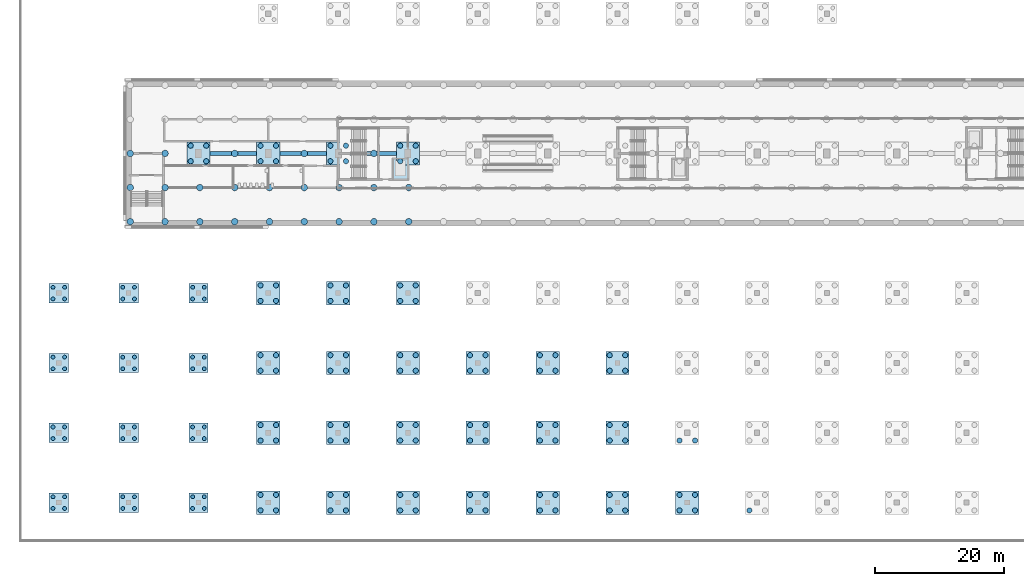
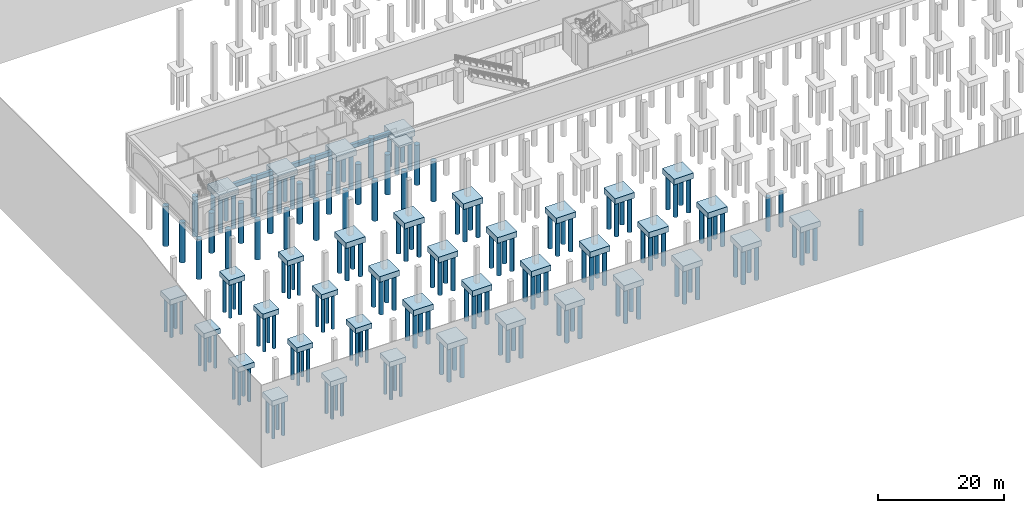
# One storey, part 1 of 39: 178 piles, 42 footings.
"""IFC4 building model written with IfcOpenShell, lengths in metres."""

import ifcopenshell
import ifcopenshell.guid

model = None  # the IFC model being written
_history = None  # IfcOwnerHistory: only IFC2X3 demands one
_inside = {}  # id of a spatial element -> (the spatial element, [elements in it])
_under = {}  # id of a project, library or spatial element -> (it, [spatial elements below it])
_declared = {}  # id of a project -> (the project, [libraries it declares])
_typed = {}  # id of a type object -> (the type object, [elements of that type])
_made_of = {}  # id of a material, layer set ... -> (it, [elements and type objects made of it])


def new_model(schema):
    """Start an empty IFC model of exactly this schema.

    Asked for "IFC4X3", IfcOpenShell would pick the latest addendum, in which some entities
    have other attributes; the version numbers below select the first issue.
    IFC2X3 requires an IfcOwnerHistory on every rooted entity: one is made here for all.
    """
    global model, _history
    if schema == "IFC4X3":
        model = ifcopenshell.file(schema_version=(4, 3, 0, 0))
    else:
        model = ifcopenshell.file(schema=schema)
    _inside.clear()
    _under.clear()
    _declared.clear()
    _typed.clear()
    _made_of.clear()
    _history = None
    if model.schema == "IFC2X3":
        org = make("IfcOrganization", Name="unknown")
        user = make(
            "IfcPersonAndOrganization",
            ThePerson=make("IfcPerson", FamilyName="unknown"),
            TheOrganization=org,
        )
        app = make(
            "IfcApplication",
            ApplicationDeveloper=org,
            Version="unknown",
            ApplicationFullName="unknown",
            ApplicationIdentifier="unknown",
        )
        _history = make(
            "IfcOwnerHistory",
            OwningUser=user,
            OwningApplication=app,
            ChangeAction="ADDED",
            CreationDate=0,
        )
    return model


def make(cls, **values):
    """One entity of the class cls with the attributes given. An attribute that is None is left unset."""
    return model.create_entity(
        cls, **{name: value for name, value in values.items() if value is not None}
    )


def rooted(cls, **values):
    """An entity with a GlobalId (a new one), such as an element, a storey or a relation."""
    return make(cls, GlobalId=ifcopenshell.guid.new(), OwnerHistory=_history, **values)


def si_unit(unit_type, name, prefix=None):
    """IfcSIUnit, for example si_unit("LENGTHUNIT", "METRE", prefix="MILLI")."""
    return make("IfcSIUnit", UnitType=unit_type, Prefix=prefix, Name=name)


def assignment(units):
    """IfcUnitAssignment: the units of a project."""
    return None if units is None else make("IfcUnitAssignment", Units=units)


def point(xyz):
    """IfcCartesianPoint."""
    return None if xyz is None else make("IfcCartesianPoint", Coordinates=xyz)


def direction(xyz):
    """IfcDirection."""
    return None if xyz is None else make("IfcDirection", DirectionRatios=xyz)


def frame(location, z_axis=None, x_axis=None):
    """IfcAxis2Placement3D, a coordinate frame: its origin and axes. An axis left out is left unset."""
    return make(
        "IfcAxis2Placement3D",
        Location=point(location),
        Axis=direction(z_axis),
        RefDirection=direction(x_axis),
    )


def frame_2d(location, x_axis=None):
    """IfcAxis2Placement2D, a coordinate frame in the plane: its origin and x axis."""
    return make(
        "IfcAxis2Placement2D", Location=point(location), RefDirection=direction(x_axis)
    )


def origin():
    """The frame at (0, 0, 0) with its axes left unset."""
    return frame((0.0, 0.0, 0.0))


def origin_2d():
    """The frame at (0, 0) in the plane with its x axis left unset."""
    return frame_2d((0.0, 0.0))


def place(relative_to, where):
    """IfcLocalPlacement: puts the frame where relative to a parent placement (None: the world)."""
    return make(
        "IfcLocalPlacement", PlacementRelTo=relative_to, RelativePlacement=where
    )


def context(
    kind, dimensions, precision=None, world=None, true_north=None, identifier=None
):
    """IfcGeometricRepresentationContext, for example the 3D "Model" context."""
    return make(
        "IfcGeometricRepresentationContext",
        ContextIdentifier=identifier,
        ContextType=kind,
        CoordinateSpaceDimension=dimensions,
        Precision=precision,
        WorldCoordinateSystem=world,
        TrueNorth=true_north,
    )


def subcontext(parent, identifier, kind, view, scale=None):
    """IfcGeometricRepresentationSubContext, for example "Body" below "Model"."""
    return make(
        "IfcGeometricRepresentationSubContext",
        ContextIdentifier=identifier,
        ContextType=kind,
        ParentContext=parent,
        TargetScale=scale,
        TargetView=view,
    )


def project(units=None, contexts=None):
    """IfcProject with its units and contexts."""
    return rooted(
        "IfcProject",
        Name="project",
        RepresentationContexts=contexts,
        UnitsInContext=assignment(units),
    )


def spatial(cls, under=None, at=None, **own):
    """A site, building, storey or space (cls), placed at a placement, below another one or the project."""
    s = rooted(cls, ObjectPlacement=at, **own)
    if under is not None:
        _under.setdefault(under.id(), (under, []))[1].append(s)
    return s


def polyline(points):
    """IfcPolyline through the points."""
    return make("IfcPolyline", Points=[point(p) for p in points])


def profile(cls, at=None, kind="AREA", **sizes):
    """A parametric profile (cls). Its sizes go by their IFC names, for example OverallWidth=200.0."""
    return make(cls, ProfileType=kind, Position=at, **sizes)


def rectangle(**sizes):
    """IfcRectangleProfileDef."""
    return profile("IfcRectangleProfileDef", **sizes)


def circle(**sizes):
    """IfcCircleProfileDef."""
    return profile("IfcCircleProfileDef", **sizes)


def outline(outer, holes=None, kind="AREA"):
    """IfcArbitraryClosedProfileDef: a profile drawn as a closed curve; with holes, ...WithVoids."""
    if holes is None:
        return make("IfcArbitraryClosedProfileDef", ProfileType=kind, OuterCurve=outer)
    return make(
        "IfcArbitraryProfileDefWithVoids",
        ProfileType=kind,
        OuterCurve=outer,
        InnerCurves=holes,
    )


def extrude(swept, where, along, depth):
    """IfcExtrudedAreaSolid: the profile swept, set in the frame where, extruded along a direction by depth."""
    return make(
        "IfcExtrudedAreaSolid",
        SweptArea=swept,
        Position=where,
        ExtrudedDirection=direction(along),
        Depth=depth,
    )


def shape(context_of_items, identifier, shape_type, items):
    """IfcShapeRepresentation: the items that make up one representation, for example the "Body"."""
    return make(
        "IfcShapeRepresentation",
        ContextOfItems=context_of_items,
        RepresentationIdentifier=identifier,
        RepresentationType=shape_type,
        Items=items,
    )


def material(Name=None, Category=None):
    """IfcMaterial."""
    return make("IfcMaterial", Name=Name, Category=Category)


def layer(
    of_material, thickness, ventilated=None, Name=None, Category=None, Priority=None
):
    """IfcMaterialLayer: one layer of a wall or slab, of a material (None: an air gap)."""
    return make(
        "IfcMaterialLayer",
        Material=of_material,
        LayerThickness=thickness,
        IsVentilated=ventilated,
        Name=Name,
        Category=Category,
        Priority=Priority,
    )


def layer_set(layers, Name=None):
    """IfcMaterialLayerSet."""
    return make("IfcMaterialLayerSet", MaterialLayers=layers, LayerSetName=Name)


def material_profile(
    of_material, cross_section, Name=None, Category=None, Priority=None
):
    """IfcMaterialProfile: a cross section and its material."""
    return make(
        "IfcMaterialProfile",
        Name=Name,
        Material=of_material,
        Profile=cross_section,
        Priority=Priority,
        Category=Category,
    )


def profile_set(profiles, Name=None, composite=None):
    """IfcMaterialProfileSet."""
    return make(
        "IfcMaterialProfileSet",
        Name=Name,
        MaterialProfiles=profiles,
        CompositeProfile=composite,
    )


def made_of(thing, what):
    """Note that an element or type object is made of a material, layer set ...; save() writes the relation."""
    if what is not None:
        _made_of.setdefault(what.id(), (what, []))[1].append(thing)
    return thing


def type_object(cls, material=None, **own):
    """A type object (cls), such as IfcWallType, which elements share."""
    return made_of(rooted(cls, **own), material)


def element(
    cls,
    number,
    at=None,
    inside=None,
    cuts=None,
    type_object=None,
    material=None,
    context=None,
    identifier="Body",
    shape_type=None,
    held_by="IfcProductDefinitionShape",
    body=None,
    shapes=None,
    **own,
):
    """One element of the class cls, such as IfcWall. Its Tag is "e" and its number.

    at: its placement. inside: the storey or other place that contains it. cuts: it is an
    opening in that element (IfcRelVoidsElement). A single representation is given by context,
    identifier, shape_type and body (its items); several are given by shapes. held_by: the class
    of the entity that holds the representations. save() writes the other relations.
    """
    e = rooted(cls, Tag="e%d" % number, ObjectPlacement=at, **own)
    if body is not None:
        shapes = [shape(context, identifier, shape_type, body)]
    if shapes is not None:
        e.Representation = make(held_by, Representations=shapes)
    if inside is not None:
        _inside.setdefault(inside.id(), (inside, []))[1].append(e)
    if cuts is not None:
        rooted(
            "IfcRelVoidsElement", RelatingBuildingElement=cuts, RelatedOpeningElement=e
        )
    if type_object is not None:
        _typed.setdefault(type_object.id(), (type_object, []))[1].append(e)
    return made_of(e, material)


def aggregate(whole, parts):
    """IfcRelAggregates: a whole, such as a stair, and the parts it consists of."""
    return rooted("IfcRelAggregates", RelatingObject=whole, RelatedObjects=parts)


def save(model, path):
    """Write the relations noted so far, then the file.

    IfcRelAggregates (storeys below a building ...), IfcRelContainedInSpatialStructure (elements
    in a storey), IfcRelDefinesByType, IfcRelAssociatesMaterial and IfcRelDeclares: one each for
    every whole, place, type object, material and project.
    """
    for whole, parts in _under.values():
        aggregate(whole, parts)
    for where, things in _inside.values():
        rooted(
            "IfcRelContainedInSpatialStructure",
            RelatedElements=things,
            RelatingStructure=where,
        )
    for kind, things in _typed.values():
        rooted("IfcRelDefinesByType", RelatedObjects=things, RelatingType=kind)
    for what, things in _made_of.values():
        rooted("IfcRelAssociatesMaterial", RelatedObjects=things, RelatingMaterial=what)
    for by, libraries in _declared.values():
        rooted("IfcRelDeclares", RelatingContext=by, RelatedDefinitions=libraries)
    model.write(path)


model = new_model("IFC4")

# Units and contexts
model_context = context("Model", 3, precision=1e-05, world=origin(), true_north=direction((0.0, 1.0)))
body_context = subcontext(model_context, "Body", "Model", "MODEL_VIEW")
ifc_project = project(units=[si_unit("LENGTHUNIT", "METRE"), si_unit("AREAUNIT", "SQUARE_METRE"), si_unit("VOLUMEUNIT", "CUBIC_METRE"), si_unit("PLANEANGLEUNIT", "RADIAN"), si_unit("MASSUNIT", "GRAM", prefix="KILO")], contexts=[model_context])

# Site, building, storey
site_placement = place(None, origin())
site = spatial("IfcSite", under=ifc_project, at=site_placement, CompositionType="ELEMENT")
building_placement = place(site_placement, origin())
building = spatial("IfcBuilding", under=site, at=building_placement, Name="Magnolia Steps Interchange", CompositionType="ELEMENT")
storey_placement = place(building_placement, frame((0.0, 0.0, -11.39990234375)))
storey = spatial("IfcBuildingStorey", under=building, at=storey_placement, Name="B2", CompositionType="ELEMENT", Elevation=-11.39990234375)

# Piles
ifc_material_1 = material(Name="Concrete C35", Category="concrete")
ifc_material_profile_1 = material_profile(ifc_material_1, circle(Radius=0.5, at=origin_2d()), Name="Bored pile 1000")
ifc_profile_set_1 = profile_set([ifc_material_profile_1], Name="Concrete C35")
pile_type_1 = type_object("IfcPileType", Name="Bored pile 1000", PredefinedType="BORED", material=ifc_profile_set_1)
for number, where, z_axis, x_axis, name in (
    (1, (21.050048828125, 53.449951171875, -1.300048828125), (0.0, 0.0, -1.0), (1.0, 0.0, 0.0), "Raft pile 1-1"),
    (2, (21.050048828125, 58.72509765625, -1.300048828125), (0.0, 0.0, -1.0), (1.0, 0.0, 0.0), "Raft pile 1-2"),
    (3, (21.050048828125, 64.0, -1.300048828125), (0.0, 0.0, -1.0), (1.0, 0.0, 0.0), "Raft pile 1-3"),
    (4, (26.433349609375, 53.449951171875, -1.300048828125), (0.0, 0.0, -1.0), (1.0, 0.0, 0.0), "Raft pile 2-1"),
    (5, (26.433349609375, 58.72509765625, -1.300048828125), (0.0, 0.0, -1.0), (1.0, 0.0, 0.0), "Raft pile 2-2"),
    (6, (26.433349609375, 64.0, -1.300048828125), (0.0, 0.0, -1.0), (1.0, 0.0, 0.0), "Raft pile 2-3"),
    (7, (31.816650390625, 53.449951171875, -1.300048828125), (0.0, 0.0, -1.0), (1.0, 0.0, 0.0), "Raft pile 3-1"),
    (8, (31.816650390625, 58.72509765625, -1.300048828125), (0.0, 0.0, -1.0), (1.0, 0.0, 0.0), "Raft pile 3-2"),
    (9, (37.199951171875, 53.449951171875, -1.300048828125), (0.0, 0.0, -1.0), (1.0, 0.0, 0.0), "Raft pile 4-1"),
    (10, (37.199951171875, 58.72509765625, -1.300048828125), (0.0, 0.0, -1.0), (1.0, 0.0, 0.0), "Raft pile 4-2"),
    (11, (37.199951171875, 64.0, -1.300048828125), (0.0, 0.0, -1.0), (1.0, 0.0, 0.0), "Raft pile 4-3"),
    (12, (42.583251953125, 53.449951171875, -1.300048828125), (0.0, 0.0, -1.0), (1.0, 0.0, 0.0), "Raft pile 5-1"),
    (13, (42.583251953125, 58.72509765625, -1.300048828125), (0.0, 0.0, -1.0), (1.0, 0.0, 0.0), "Raft pile 5-2"),
    (14, (47.966796875, 53.449951171875, -1.300048828125), (0.0, 0.0, -1.0), (1.0, 0.0, 0.0), "Raft pile 6-1"),
    (15, (47.966796875, 58.72509765625, -1.300048828125), (0.0, 0.0, -1.0), (1.0, 0.0, 0.0), "Raft pile 6-2"),
    (16, (47.966796875, 64.0, -1.300048828125), (0.0, 0.0, -1.0), (1.0, 0.0, 0.0), "Raft pile 6-3"),
    (17, (53.35009765625, 53.449951171875, -1.300048828125), (0.0, 0.0, -1.0), (1.0, 0.0, 0.0), "Raft pile 7-1"),
    (18, (53.35009765625, 58.72509765625, -1.300048828125), (0.0, 0.0, -1.0), (1.0, 0.0, 0.0), "Raft pile 7-2"),
    (19, (58.7333984375, 53.449951171875, -1.300048828125), (0.0, 0.0, -1.0), (1.0, 0.0, 0.0), "Raft pile 8-1"),
    (20, (58.7333984375, 58.72509765625, -1.300048828125), (0.0, 0.0, -1.0), (1.0, 0.0, 0.0), "Raft pile 8-2"),
    (21, (58.7333984375, 64.0, -1.300048828125), (0.0, 0.0, -1.0), (1.0, 0.0, 0.0), "Raft pile 8-3"),
    (22, (64.11669921875, 53.449951171875, -1.300048828125), (0.0, 0.0, -1.0), (1.0, 0.0, 0.0), "Raft pile 9-1"),
    (23, (64.11669921875, 58.72509765625, -1.300048828125), (0.0, 0.0, -1.0), (1.0, 0.0, 0.0), "Raft pile 9-2"),
):
    element("IfcPile", number, at=place(storey_placement, frame(where, z_axis=z_axis, x_axis=x_axis)), inside=storey, type_object=pile_type_1, Name=name, PredefinedType="BORED", context=body_context, shape_type="SweptSolid", body=[
        extrude(circle(Radius=0.5, at=origin_2d()), origin(), (0.0, 0.0, 1.0), 7.800048828125),
    ])
ifc_material_2 = material(Name="Concrete C35", Category="concrete")
ifc_material_profile_2 = material_profile(ifc_material_2, circle(Radius=0.300048828125, at=origin_2d()), Name="Bored pile 600")
ifc_profile_set_2 = profile_set([ifc_material_profile_2], Name="Concrete C35")
pile_type_2 = type_object("IfcPileType", Name="Bored pile 600", PredefinedType="BORED", material=ifc_profile_set_2)
for number, where, z_axis, x_axis, name in (
    (24, (9.10009765625, 9.10009765625, -2.300048828125), (0.0, 0.0, -1.0), (1.0, 0.0, 0.0), "Bored pile 10.0-10.0-1"),
    (25, (10.89990234375, 9.10009765625, -2.300048828125), (0.0, 0.0, -1.0), (1.0, 0.0, 0.0), "Bored pile 10.0-10.0-2"),
    (26, (10.89990234375, 10.89990234375, -2.300048828125), (0.0, 0.0, -1.0), (1.0, 0.0, 0.0), "Bored pile 10.0-10.0-3"),
    (27, (9.10009765625, 10.89990234375, -2.300048828125), (0.0, 0.0, -1.0), (1.0, 0.0, 0.0), "Bored pile 10.0-10.0-4"),
    (28, (9.10009765625, 19.89990234375, -2.300048828125), (0.0, 0.0, -1.0), (1.0, 0.0, 0.0), "Bored pile 10.0-20.8-1"),
    (29, (10.89990234375, 19.89990234375, -2.300048828125), (0.0, 0.0, -1.0), (1.0, 0.0, 0.0), "Bored pile 10.0-20.8-2"),
    (30, (10.89990234375, 21.699951171875, -2.300048828125), (0.0, 0.0, -1.0), (1.0, 0.0, 0.0), "Bored pile 10.0-20.8-3"),
    (31, (9.10009765625, 21.699951171875, -2.300048828125), (0.0, 0.0, -1.0), (1.0, 0.0, 0.0), "Bored pile 10.0-20.8-4"),
    (32, (9.10009765625, 30.699951171875, -2.300048828125), (0.0, 0.0, -1.0), (1.0, 0.0, 0.0), "Bored pile 10.0-31.6-1"),
    (33, (10.89990234375, 30.699951171875, -2.300048828125), (0.0, 0.0, -1.0), (1.0, 0.0, 0.0), "Bored pile 10.0-31.6-2"),
    (34, (10.89990234375, 32.5, -2.300048828125), (0.0, 0.0, -1.0), (1.0, 0.0, 0.0), "Bored pile 10.0-31.6-3"),
    (35, (9.10009765625, 32.5, -2.300048828125), (0.0, 0.0, -1.0), (1.0, 0.0, 0.0), "Bored pile 10.0-31.6-4"),
    (36, (9.10009765625, 41.5, -2.300048828125), (0.0, 0.0, -1.0), (1.0, 0.0, 0.0), "Bored pile 10.0-42.4-1"),
    (37, (10.89990234375, 41.5, -2.300048828125), (0.0, 0.0, -1.0), (1.0, 0.0, 0.0), "Bored pile 10.0-42.4-2"),
    (38, (10.89990234375, 43.300048828125, -2.300048828125), (0.0, 0.0, -1.0), (1.0, 0.0, 0.0), "Bored pile 10.0-42.4-3"),
    (39, (9.10009765625, 43.300048828125, -2.300048828125), (0.0, 0.0, -1.0), (1.0, 0.0, 0.0), "Bored pile 10.0-42.4-4"),
    (40, (19.89990234375, 9.10009765625, -2.300048828125), (0.0, 0.0, -1.0), (1.0, 0.0, 0.0), "Bored pile 20.8-10.0-1"),
    (41, (21.699951171875, 9.10009765625, -2.300048828125), (0.0, 0.0, -1.0), (1.0, 0.0, 0.0), "Bored pile 20.8-10.0-2"),
    (42, (21.699951171875, 10.89990234375, -2.300048828125), (0.0, 0.0, -1.0), (1.0, 0.0, 0.0), "Bored pile 20.8-10.0-3"),
    (43, (19.89990234375, 10.89990234375, -2.300048828125), (0.0, 0.0, -1.0), (1.0, 0.0, 0.0), "Bored pile 20.8-10.0-4"),
    (44, (19.89990234375, 19.89990234375, -2.300048828125), (0.0, 0.0, -1.0), (1.0, 0.0, 0.0), "Bored pile 20.8-20.8-1"),
    (45, (21.699951171875, 19.89990234375, -2.300048828125), (0.0, 0.0, -1.0), (1.0, 0.0, 0.0), "Bored pile 20.8-20.8-2"),
    (46, (21.699951171875, 21.699951171875, -2.300048828125), (0.0, 0.0, -1.0), (1.0, 0.0, 0.0), "Bored pile 20.8-20.8-3"),
    (47, (19.89990234375, 21.699951171875, -2.300048828125), (0.0, 0.0, -1.0), (1.0, 0.0, 0.0), "Bored pile 20.8-20.8-4"),
    (48, (19.89990234375, 30.699951171875, -2.300048828125), (0.0, 0.0, -1.0), (1.0, 0.0, 0.0), "Bored pile 20.8-31.6-1"),
    (49, (21.699951171875, 30.699951171875, -2.300048828125), (0.0, 0.0, -1.0), (1.0, 0.0, 0.0), "Bored pile 20.8-31.6-2"),
    (50, (21.699951171875, 32.5, -2.300048828125), (0.0, 0.0, -1.0), (1.0, 0.0, 0.0), "Bored pile 20.8-31.6-3"),
    (51, (19.89990234375, 32.5, -2.300048828125), (0.0, 0.0, -1.0), (1.0, 0.0, 0.0), "Bored pile 20.8-31.6-4"),
    (52, (19.89990234375, 41.5, -2.300048828125), (0.0, 0.0, -1.0), (1.0, 0.0, 0.0), "Bored pile 20.8-42.4-1"),
    (53, (21.699951171875, 41.5, -2.300048828125), (0.0, 0.0, -1.0), (1.0, 0.0, 0.0), "Bored pile 20.8-42.4-2"),
    (54, (21.699951171875, 43.300048828125, -2.300048828125), (0.0, 0.0, -1.0), (1.0, 0.0, 0.0), "Bored pile 20.8-42.4-3"),
    (55, (19.89990234375, 43.300048828125, -2.300048828125), (0.0, 0.0, -1.0), (1.0, 0.0, 0.0), "Bored pile 20.8-42.4-4"),
    (56, (30.699951171875, 9.10009765625, -2.300048828125), (0.0, 0.0, -1.0), (1.0, 0.0, 0.0), "Bored pile 31.6-10.0-1"),
    (57, (32.5, 9.10009765625, -2.300048828125), (0.0, 0.0, -1.0), (1.0, 0.0, 0.0), "Bored pile 31.6-10.0-2"),
    (58, (32.5, 10.89990234375, -2.300048828125), (0.0, 0.0, -1.0), (1.0, 0.0, 0.0), "Bored pile 31.6-10.0-3"),
    (59, (30.699951171875, 10.89990234375, -2.300048828125), (0.0, 0.0, -1.0), (1.0, 0.0, 0.0), "Bored pile 31.6-10.0-4"),
    (60, (30.699951171875, 19.89990234375, -2.300048828125), (0.0, 0.0, -1.0), (1.0, 0.0, 0.0), "Bored pile 31.6-20.8-1"),
    (61, (32.5, 19.89990234375, -2.300048828125), (0.0, 0.0, -1.0), (1.0, 0.0, 0.0), "Bored pile 31.6-20.8-2"),
    (62, (32.5, 21.699951171875, -2.300048828125), (0.0, 0.0, -1.0), (1.0, 0.0, 0.0), "Bored pile 31.6-20.8-3"),
    (63, (30.699951171875, 21.699951171875, -2.300048828125), (0.0, 0.0, -1.0), (1.0, 0.0, 0.0), "Bored pile 31.6-20.8-4"),
    (64, (30.699951171875, 30.699951171875, -2.300048828125), (0.0, 0.0, -1.0), (1.0, 0.0, 0.0), "Bored pile 31.6-31.6-1"),
    (65, (32.5, 30.699951171875, -2.300048828125), (0.0, 0.0, -1.0), (1.0, 0.0, 0.0), "Bored pile 31.6-31.6-2"),
    (66, (32.5, 32.5, -2.300048828125), (0.0, 0.0, -1.0), (1.0, 0.0, 0.0), "Bored pile 31.6-31.6-3"),
    (67, (30.699951171875, 32.5, -2.300048828125), (0.0, 0.0, -1.0), (1.0, 0.0, 0.0), "Bored pile 31.6-31.6-4"),
    (68, (30.699951171875, 41.5, -2.300048828125), (0.0, 0.0, -1.0), (1.0, 0.0, 0.0), "Bored pile 31.6-42.4-1"),
    (69, (32.5, 41.5, -2.300048828125), (0.0, 0.0, -1.0), (1.0, 0.0, 0.0), "Bored pile 31.6-42.4-2"),
    (70, (32.5, 43.300048828125, -2.300048828125), (0.0, 0.0, -1.0), (1.0, 0.0, 0.0), "Bored pile 31.6-42.4-3"),
    (71, (30.699951171875, 43.300048828125, -2.300048828125), (0.0, 0.0, -1.0), (1.0, 0.0, 0.0), "Bored pile 31.6-42.4-4"),
):
    element("IfcPile", number, at=place(storey_placement, frame(where, z_axis=z_axis, x_axis=x_axis)), inside=storey, type_object=pile_type_2, Name=name, PredefinedType="BORED", context=body_context, shape_type="SweptSolid", body=[
        extrude(circle(Radius=0.300048828125, at=origin_2d()), origin(), (0.0, 0.0, 1.0), 6.800048828125),
    ])
ifc_material_3 = material(Name="Concrete C35", Category="concrete")
ifc_material_profile_3 = material_profile(ifc_material_3, circle(Radius=0.39990234375, at=origin_2d()), Name="Bored pile 800")
ifc_profile_set_3 = profile_set([ifc_material_profile_3], Name="Concrete C35")
pile_type_3 = type_object("IfcPileType", Name="Bored pile 800", PredefinedType="BORED", material=ifc_profile_set_3)
for number, where, z_axis, x_axis, name in (
    (72, (30.39990234375, 62.800048828125, -2.400146484375), (0.0, 0.0, -1.0), (1.0, 0.0, 0.0), "Bored pile 31.6-64.0-1"),
    (73, (32.800048828125, 62.800048828125, -2.400146484375), (0.0, 0.0, -1.0), (1.0, 0.0, 0.0), "Bored pile 31.6-64.0-2"),
    (74, (32.800048828125, 65.199951171875, -2.400146484375), (0.0, 0.0, -1.0), (1.0, 0.0, 0.0), "Bored pile 31.6-64.0-3"),
    (75, (30.39990234375, 65.199951171875, -2.400146484375), (0.0, 0.0, -1.0), (1.0, 0.0, 0.0), "Bored pile 31.6-64.0-4"),
    (76, (41.199951171875, 62.800048828125, -2.400146484375), (0.0, 0.0, -1.0), (1.0, 0.0, 0.0), "Bored pile 42.4-64.0-1"),
    (77, (43.60009765625, 62.800048828125, -2.400146484375), (0.0, 0.0, -1.0), (1.0, 0.0, 0.0), "Bored pile 42.4-64.0-2"),
    (78, (43.60009765625, 65.199951171875, -2.400146484375), (0.0, 0.0, -1.0), (1.0, 0.0, 0.0), "Bored pile 42.4-64.0-3"),
    (79, (41.199951171875, 65.199951171875, -2.400146484375), (0.0, 0.0, -1.0), (1.0, 0.0, 0.0), "Bored pile 42.4-64.0-4"),
    (80, (52.0, 62.800048828125, -2.400146484375), (0.0, 0.0, -1.0), (1.0, 0.0, 0.0), "Bored pile 53.2-64.0-1"),
    (81, (54.39990234375, 62.800048828125, -2.400146484375), (0.0, 0.0, -1.0), (1.0, 0.0, 0.0), "Bored pile 53.2-64.0-2"),
    (82, (54.39990234375, 65.199951171875, -2.400146484375), (0.0, 0.0, -1.0), (1.0, 0.0, 0.0), "Bored pile 53.2-64.0-3"),
    (83, (52.0, 65.199951171875, -2.400146484375), (0.0, 0.0, -1.0), (1.0, 0.0, 0.0), "Bored pile 53.2-64.0-4"),
    (84, (62.800048828125, 62.800048828125, -2.400146484375), (0.0, 0.0, -1.0), (1.0, 0.0, 0.0), "Bored pile 64.0-64.0-1"),
    (85, (65.199951171875, 62.800048828125, -2.400146484375), (0.0, 0.0, -1.0), (1.0, 0.0, 0.0), "Bored pile 64.0-64.0-2"),
    (86, (65.199951171875, 65.199951171875, -2.400146484375), (0.0, 0.0, -1.0), (1.0, 0.0, 0.0), "Bored pile 64.0-64.0-3"),
    (87, (62.800048828125, 65.199951171875, -2.400146484375), (0.0, 0.0, -1.0), (1.0, 0.0, 0.0), "Bored pile 64.0-64.0-4"),
    (88, (41.199951171875, 41.199951171875, -2.400146484375), (0.0, 0.0, -1.0), (1.0, 0.0, 0.0), "Bored pile 42.4-42.4-1"),
    (89, (43.60009765625, 41.199951171875, -2.400146484375), (0.0, 0.0, -1.0), (1.0, 0.0, 0.0), "Bored pile 42.4-42.4-2"),
    (90, (43.60009765625, 43.60009765625, -2.400146484375), (0.0, 0.0, -1.0), (1.0, 0.0, 0.0), "Bored pile 42.4-42.4-3"),
    (91, (41.199951171875, 43.60009765625, -2.400146484375), (0.0, 0.0, -1.0), (1.0, 0.0, 0.0), "Bored pile 42.4-42.4-4"),
    (92, (52.0, 41.199951171875, -2.400146484375), (0.0, 0.0, -1.0), (1.0, 0.0, 0.0), "Bored pile 53.2-42.4-1"),
    (93, (54.39990234375, 41.199951171875, -2.400146484375), (0.0, 0.0, -1.0), (1.0, 0.0, 0.0), "Bored pile 53.2-42.4-2"),
    (94, (54.39990234375, 43.60009765625, -2.400146484375), (0.0, 0.0, -1.0), (1.0, 0.0, 0.0), "Bored pile 53.2-42.4-3"),
    (95, (52.0, 43.60009765625, -2.400146484375), (0.0, 0.0, -1.0), (1.0, 0.0, 0.0), "Bored pile 53.2-42.4-4"),
    (96, (62.800048828125, 41.199951171875, -2.400146484375), (0.0, 0.0, -1.0), (1.0, 0.0, 0.0), "Bored pile 64.0-42.4-1"),
    (97, (65.199951171875, 41.199951171875, -2.400146484375), (0.0, 0.0, -1.0), (1.0, 0.0, 0.0), "Bored pile 64.0-42.4-2"),
    (98, (65.199951171875, 43.60009765625, -2.400146484375), (0.0, 0.0, -1.0), (1.0, 0.0, 0.0), "Bored pile 64.0-42.4-3"),
    (99, (62.800048828125, 43.60009765625, -2.400146484375), (0.0, 0.0, -1.0), (1.0, 0.0, 0.0), "Bored pile 64.0-42.4-4"),
    (100, (41.199951171875, 8.800048828125, -2.400146484375), (0.0, 0.0, -1.0), (1.0, 0.0, 0.0), "Bored pile 42.4-10.0-1"),
    (101, (43.60009765625, 8.800048828125, -2.400146484375), (0.0, 0.0, -1.0), (1.0, 0.0, 0.0), "Bored pile 42.4-10.0-2"),
    (102, (43.60009765625, 11.199951171875, -2.400146484375), (0.0, 0.0, -1.0), (1.0, 0.0, 0.0), "Bored pile 42.4-10.0-3"),
    (103, (41.199951171875, 11.199951171875, -2.400146484375), (0.0, 0.0, -1.0), (1.0, 0.0, 0.0), "Bored pile 42.4-10.0-4"),
    (104, (41.199951171875, 19.60009765625, -2.400146484375), (0.0, 0.0, -1.0), (1.0, 0.0, 0.0), "Bored pile 42.4-20.8-1"),
    (105, (43.60009765625, 19.60009765625, -2.400146484375), (0.0, 0.0, -1.0), (1.0, 0.0, 0.0), "Bored pile 42.4-20.8-2"),
    (106, (43.60009765625, 22.0, -2.400146484375), (0.0, 0.0, -1.0), (1.0, 0.0, 0.0), "Bored pile 42.4-20.8-3"),
    (107, (41.199951171875, 22.0, -2.400146484375), (0.0, 0.0, -1.0), (1.0, 0.0, 0.0), "Bored pile 42.4-20.8-4"),
    (108, (41.199951171875, 30.39990234375, -2.400146484375), (0.0, 0.0, -1.0), (1.0, 0.0, 0.0), "Bored pile 42.4-31.6-1"),
    (109, (43.60009765625, 30.39990234375, -2.400146484375), (0.0, 0.0, -1.0), (1.0, 0.0, 0.0), "Bored pile 42.4-31.6-2"),
    (110, (43.60009765625, 32.800048828125, -2.400146484375), (0.0, 0.0, -1.0), (1.0, 0.0, 0.0), "Bored pile 42.4-31.6-3"),
    (111, (41.199951171875, 32.800048828125, -2.400146484375), (0.0, 0.0, -1.0), (1.0, 0.0, 0.0), "Bored pile 42.4-31.6-4"),
    (112, (52.0, 8.800048828125, -2.400146484375), (0.0, 0.0, -1.0), (1.0, 0.0, 0.0), "Bored pile 53.2-10.0-1"),
    (113, (54.39990234375, 8.800048828125, -2.400146484375), (0.0, 0.0, -1.0), (1.0, 0.0, 0.0), "Bored pile 53.2-10.0-2"),
    (114, (54.39990234375, 11.199951171875, -2.400146484375), (0.0, 0.0, -1.0), (1.0, 0.0, 0.0), "Bored pile 53.2-10.0-3"),
    (115, (52.0, 11.199951171875, -2.400146484375), (0.0, 0.0, -1.0), (1.0, 0.0, 0.0), "Bored pile 53.2-10.0-4"),
    (116, (52.0, 19.60009765625, -2.400146484375), (0.0, 0.0, -1.0), (1.0, 0.0, 0.0), "Bored pile 53.2-20.8-1"),
    (117, (54.39990234375, 19.60009765625, -2.400146484375), (0.0, 0.0, -1.0), (1.0, 0.0, 0.0), "Bored pile 53.2-20.8-2"),
    (118, (54.39990234375, 22.0, -2.400146484375), (0.0, 0.0, -1.0), (1.0, 0.0, 0.0), "Bored pile 53.2-20.8-3"),
    (119, (52.0, 22.0, -2.400146484375), (0.0, 0.0, -1.0), (1.0, 0.0, 0.0), "Bored pile 53.2-20.8-4"),
    (120, (52.0, 30.39990234375, -2.400146484375), (0.0, 0.0, -1.0), (1.0, 0.0, 0.0), "Bored pile 53.2-31.6-1"),
    (121, (54.39990234375, 30.39990234375, -2.400146484375), (0.0, 0.0, -1.0), (1.0, 0.0, 0.0), "Bored pile 53.2-31.6-2"),
    (122, (54.39990234375, 32.800048828125, -2.400146484375), (0.0, 0.0, -1.0), (1.0, 0.0, 0.0), "Bored pile 53.2-31.6-3"),
    (123, (52.0, 32.800048828125, -2.400146484375), (0.0, 0.0, -1.0), (1.0, 0.0, 0.0), "Bored pile 53.2-31.6-4"),
    (124, (62.800048828125, 8.800048828125, -2.400146484375), (0.0, 0.0, -1.0), (1.0, 0.0, 0.0), "Bored pile 64.0-10.0-1"),
    (125, (65.199951171875, 8.800048828125, -2.400146484375), (0.0, 0.0, -1.0), (1.0, 0.0, 0.0), "Bored pile 64.0-10.0-2"),
    (126, (65.199951171875, 11.199951171875, -2.400146484375), (0.0, 0.0, -1.0), (1.0, 0.0, 0.0), "Bored pile 64.0-10.0-3"),
    (127, (62.800048828125, 11.199951171875, -2.400146484375), (0.0, 0.0, -1.0), (1.0, 0.0, 0.0), "Bored pile 64.0-10.0-4"),
    (128, (62.800048828125, 19.60009765625, -2.400146484375), (0.0, 0.0, -1.0), (1.0, 0.0, 0.0), "Bored pile 64.0-20.8-1"),
    (129, (65.199951171875, 19.60009765625, -2.400146484375), (0.0, 0.0, -1.0), (1.0, 0.0, 0.0), "Bored pile 64.0-20.8-2"),
    (130, (65.199951171875, 22.0, -2.400146484375), (0.0, 0.0, -1.0), (1.0, 0.0, 0.0), "Bored pile 64.0-20.8-3"),
    (131, (62.800048828125, 22.0, -2.400146484375), (0.0, 0.0, -1.0), (1.0, 0.0, 0.0), "Bored pile 64.0-20.8-4"),
    (132, (62.800048828125, 30.39990234375, -2.400146484375), (0.0, 0.0, -1.0), (1.0, 0.0, 0.0), "Bored pile 64.0-31.6-1"),
    (133, (65.199951171875, 30.39990234375, -2.400146484375), (0.0, 0.0, -1.0), (1.0, 0.0, 0.0), "Bored pile 64.0-31.6-2"),
    (134, (65.199951171875, 32.800048828125, -2.400146484375), (0.0, 0.0, -1.0), (1.0, 0.0, 0.0), "Bored pile 64.0-31.6-3"),
    (135, (62.800048828125, 32.800048828125, -2.400146484375), (0.0, 0.0, -1.0), (1.0, 0.0, 0.0), "Bored pile 64.0-31.6-4"),
    (136, (73.60009765625, 8.800048828125, -2.400146484375), (0.0, 0.0, -1.0), (1.0, 0.0, 0.0), "Bored pile 74.8-10.0-1"),
    (137, (76.0, 8.800048828125, -2.400146484375), (0.0, 0.0, -1.0), (1.0, 0.0, 0.0), "Bored pile 74.8-10.0-2"),
    (138, (76.0, 11.199951171875, -2.400146484375), (0.0, 0.0, -1.0), (1.0, 0.0, 0.0), "Bored pile 74.8-10.0-3"),
    (139, (73.60009765625, 11.199951171875, -2.400146484375), (0.0, 0.0, -1.0), (1.0, 0.0, 0.0), "Bored pile 74.8-10.0-4"),
    (140, (73.60009765625, 19.60009765625, -2.400146484375), (0.0, 0.0, -1.0), (1.0, 0.0, 0.0), "Bored pile 74.8-20.8-1"),
    (141, (76.0, 19.60009765625, -2.400146484375), (0.0, 0.0, -1.0), (1.0, 0.0, 0.0), "Bored pile 74.8-20.8-2"),
    (142, (76.0, 22.0, -2.400146484375), (0.0, 0.0, -1.0), (1.0, 0.0, 0.0), "Bored pile 74.8-20.8-3"),
    (143, (73.60009765625, 22.0, -2.400146484375), (0.0, 0.0, -1.0), (1.0, 0.0, 0.0), "Bored pile 74.8-20.8-4"),
    (144, (73.60009765625, 30.39990234375, -2.400146484375), (0.0, 0.0, -1.0), (1.0, 0.0, 0.0), "Bored pile 74.8-31.6-1"),
    (145, (76.0, 30.39990234375, -2.400146484375), (0.0, 0.0, -1.0), (1.0, 0.0, 0.0), "Bored pile 74.8-31.6-2"),
    (146, (76.0, 32.800048828125, -2.400146484375), (0.0, 0.0, -1.0), (1.0, 0.0, 0.0), "Bored pile 74.8-31.6-3"),
    (147, (73.60009765625, 32.800048828125, -2.400146484375), (0.0, 0.0, -1.0), (1.0, 0.0, 0.0), "Bored pile 74.8-31.6-4"),
    (148, (84.39990234375, 8.800048828125, -2.400146484375), (0.0, 0.0, -1.0), (1.0, 0.0, 0.0), "Bored pile 85.6-10.0-1"),
    (149, (86.800048828125, 8.800048828125, -2.400146484375), (0.0, 0.0, -1.0), (1.0, 0.0, 0.0), "Bored pile 85.6-10.0-2"),
    (150, (86.800048828125, 11.199951171875, -2.400146484375), (0.0, 0.0, -1.0), (1.0, 0.0, 0.0), "Bored pile 85.6-10.0-3"),
    (151, (84.39990234375, 11.199951171875, -2.400146484375), (0.0, 0.0, -1.0), (1.0, 0.0, 0.0), "Bored pile 85.6-10.0-4"),
    (152, (84.39990234375, 19.60009765625, -2.400146484375), (0.0, 0.0, -1.0), (1.0, 0.0, 0.0), "Bored pile 85.6-20.8-1"),
    (153, (86.800048828125, 19.60009765625, -2.400146484375), (0.0, 0.0, -1.0), (1.0, 0.0, 0.0), "Bored pile 85.6-20.8-2"),
    (154, (86.800048828125, 22.0, -2.400146484375), (0.0, 0.0, -1.0), (1.0, 0.0, 0.0), "Bored pile 85.6-20.8-3"),
    (155, (84.39990234375, 22.0, -2.400146484375), (0.0, 0.0, -1.0), (1.0, 0.0, 0.0), "Bored pile 85.6-20.8-4"),
    (156, (84.39990234375, 30.39990234375, -2.400146484375), (0.0, 0.0, -1.0), (1.0, 0.0, 0.0), "Bored pile 85.6-31.6-1"),
    (157, (86.800048828125, 30.39990234375, -2.400146484375), (0.0, 0.0, -1.0), (1.0, 0.0, 0.0), "Bored pile 85.6-31.6-2"),
    (158, (86.800048828125, 32.800048828125, -2.400146484375), (0.0, 0.0, -1.0), (1.0, 0.0, 0.0), "Bored pile 85.6-31.6-3"),
    (159, (84.39990234375, 32.800048828125, -2.400146484375), (0.0, 0.0, -1.0), (1.0, 0.0, 0.0), "Bored pile 85.6-31.6-4"),
    (160, (95.199951171875, 8.800048828125, -2.400146484375), (0.0, 0.0, -1.0), (1.0, 0.0, 0.0), "Bored pile 96.4-10.0-1"),
    (161, (97.60009765625, 8.800048828125, -2.400146484375), (0.0, 0.0, -1.0), (1.0, 0.0, 0.0), "Bored pile 96.4-10.0-2"),
    (162, (97.60009765625, 11.199951171875, -2.400146484375), (0.0, 0.0, -1.0), (1.0, 0.0, 0.0), "Bored pile 96.4-10.0-3"),
    (163, (95.199951171875, 11.199951171875, -2.400146484375), (0.0, 0.0, -1.0), (1.0, 0.0, 0.0), "Bored pile 96.4-10.0-4"),
    (164, (95.199951171875, 19.60009765625, -2.400146484375), (0.0, 0.0, -1.0), (1.0, 0.0, 0.0), "Bored pile 96.4-20.8-1"),
    (165, (97.60009765625, 19.60009765625, -2.400146484375), (0.0, 0.0, -1.0), (1.0, 0.0, 0.0), "Bored pile 96.4-20.8-2"),
    (166, (97.60009765625, 22.0, -2.400146484375), (0.0, 0.0, -1.0), (1.0, 0.0, 0.0), "Bored pile 96.4-20.8-3"),
    (167, (95.199951171875, 22.0, -2.400146484375), (0.0, 0.0, -1.0), (1.0, 0.0, 0.0), "Bored pile 96.4-20.8-4"),
    (168, (95.199951171875, 30.39990234375, -2.400146484375), (0.0, 0.0, -1.0), (1.0, 0.0, 0.0), "Bored pile 96.4-31.6-1"),
    (169, (97.60009765625, 30.39990234375, -2.400146484375), (0.0, 0.0, -1.0), (1.0, 0.0, 0.0), "Bored pile 96.4-31.6-2"),
    (170, (97.60009765625, 32.800048828125, -2.400146484375), (0.0, 0.0, -1.0), (1.0, 0.0, 0.0), "Bored pile 96.4-31.6-3"),
    (171, (95.199951171875, 32.800048828125, -2.400146484375), (0.0, 0.0, -1.0), (1.0, 0.0, 0.0), "Bored pile 96.4-31.6-4"),
    (172, (106.0, 8.800048828125, -2.400146484375), (0.0, 0.0, -1.0), (1.0, 0.0, 0.0), "Bored pile 107.2-10.0-1"),
    (173, (108.39990234375, 8.800048828125, -2.400146484375), (0.0, 0.0, -1.0), (1.0, 0.0, 0.0), "Bored pile 107.2-10.0-2"),
    (174, (108.39990234375, 11.199951171875, -2.400146484375), (0.0, 0.0, -1.0), (1.0, 0.0, 0.0), "Bored pile 107.2-10.0-3"),
    (175, (106.0, 11.199951171875, -2.400146484375), (0.0, 0.0, -1.0), (1.0, 0.0, 0.0), "Bored pile 107.2-10.0-4"),
    (176, (106.0, 19.60009765625, -2.400146484375), (0.0, 0.0, -1.0), (1.0, 0.0, 0.0), "Bored pile 107.2-20.8-1"),
    (177, (108.39990234375, 19.60009765625, -2.400146484375), (0.0, 0.0, -1.0), (1.0, 0.0, 0.0), "Bored pile 107.2-20.8-2"),
    (178, (116.800048828125, 8.800048828125, -2.400146484375), (0.0, 0.0, -1.0), (1.0, 0.0, 0.0), "Bored pile 118.0-10.0-1"),
):
    element("IfcPile", number, at=place(storey_placement, frame(where, z_axis=z_axis, x_axis=x_axis)), inside=storey, type_object=pile_type_3, Name=name, PredefinedType="BORED", context=body_context, shape_type="SweptSolid", body=[
        extrude(circle(Radius=0.39990234375, at=origin_2d()), origin(), (0.0, 0.0, 1.0), 6.699951171875),
    ])

# Footings
ifc_material_4 = material(Name="Concrete C40", Category="concrete")
ifc_material_profile_4 = material_profile(ifc_material_4, rectangle(XDim=0.60009765625, YDim=0.800048828125, at=origin_2d()), Name="RC600x800")
ifc_profile_set_4 = profile_set([ifc_material_profile_4], Name="Concrete C40")
footing_type_1 = type_object("IfcFootingType", Name="Ground beam 600 x 800", PredefinedType="FOOTING_BEAM", material=ifc_profile_set_4)
footing_1_placement = place(storey_placement, frame((33.39990234375, 64.0, -1.800048828125), z_axis=(1.0, 0.0, 0.0), x_axis=(0.0, 1.0, 0.0)))
element("IfcFooting", 179, at=footing_1_placement, inside=storey, type_object=footing_type_1, Name="Ground beam", PredefinedType="FOOTING_BEAM", context=body_context, shape_type="SweptSolid", body=[
    extrude(rectangle(XDim=0.60009765625, YDim=0.800048828125, at=origin_2d()), origin(), (0.0, 0.0, 1.0), 7.2001953125),
])
for number, where, z_axis, x_axis, name in (
    (180, (44.199951171875, 64.0, -1.800048828125), (1.0, 0.0, 0.0), (0.0, 1.0, 0.0), "Ground beam"),
    (181, (55.0, 64.0, -1.800048828125), (1.0, 0.0, 0.0), (0.0, 1.0, 0.0), "Ground beam"),
):
    element("IfcFooting", number, at=place(storey_placement, frame(where, z_axis=z_axis, x_axis=x_axis)), inside=storey, type_object=footing_type_1, Name=name, PredefinedType="FOOTING_BEAM", context=body_context, shape_type="SweptSolid", body=[
        extrude(rectangle(XDim=0.60009765625, YDim=0.800048828125, at=origin_2d()), origin(), (0.0, 0.0, 1.0), 7.199951171875),
    ])
ifc_material_5 = material(Name="Concrete C40", Category="concrete")
ifc_layer = layer(ifc_material_5, 0.39990234375)
ifc_layer_set = layer_set([ifc_layer], Name="Lift pit foundation 400")
footing_type_2 = type_object("IfcFootingType", Name="Lift pit foundation 400", PredefinedType="PAD_FOOTING", material=ifc_layer_set)
footing_2_placement = place(storey_placement, frame((0.0, 0.0, -2.0)))
element("IfcFooting", 182, at=footing_2_placement, inside=storey, type_object=footing_type_2, Name="Lift pit foundation PC1", PredefinedType="PAD_FOOTING", context=body_context, shape_type="SweptSolid", body=[
    extrude(outline(polyline([(64.125, 59.875), (64.125, 62.199951171875), (62.199951171875, 62.199951171875), (62.199951171875, 63.324951171875), (61.52490234375, 63.324951171875), (61.52490234375, 59.875), (64.125, 59.875)])), origin(), (0.0, 0.0, 1.0), 0.39990234375),
])
ifc_material_6 = material(Name="Concrete C40", Category="concrete")
footing_type_3 = type_object("IfcFootingType", Name="Pile cap 3000 x 3000 x 1000", PredefinedType="PILE_CAP", material=ifc_material_6)
for number, where, z_axis, x_axis, name in (
    (183, (10.0, 10.0, -2.400146484375), (0.0, 0.0, 1.0), (1.0, 0.0, 0.0), "Pile cap 10.0-10.0"),
    (184, (10.0, 20.800048828125, -2.400146484375), (0.0, 0.0, 1.0), (1.0, 0.0, 0.0), "Pile cap 10.0-20.8"),
    (185, (10.0, 31.60009765625, -2.400146484375), (0.0, 0.0, 1.0), (1.0, 0.0, 0.0), "Pile cap 10.0-31.6"),
    (186, (10.0, 42.39990234375, -2.400146484375), (0.0, 0.0, 1.0), (1.0, 0.0, 0.0), "Pile cap 10.0-42.4"),
    (187, (20.800048828125, 10.0, -2.400146484375), (0.0, 0.0, 1.0), (1.0, 0.0, 0.0), "Pile cap 20.8-10.0"),
    (188, (20.800048828125, 20.800048828125, -2.400146484375), (0.0, 0.0, 1.0), (1.0, 0.0, 0.0), "Pile cap 20.8-20.8"),
    (189, (20.800048828125, 31.60009765625, -2.400146484375), (0.0, 0.0, 1.0), (1.0, 0.0, 0.0), "Pile cap 20.8-31.6"),
    (190, (20.800048828125, 42.39990234375, -2.400146484375), (0.0, 0.0, 1.0), (1.0, 0.0, 0.0), "Pile cap 20.8-42.4"),
    (191, (31.60009765625, 10.0, -2.400146484375), (0.0, 0.0, 1.0), (1.0, 0.0, 0.0), "Pile cap 31.6-10.0"),
    (192, (31.60009765625, 20.800048828125, -2.400146484375), (0.0, 0.0, 1.0), (1.0, 0.0, 0.0), "Pile cap 31.6-20.8"),
    (193, (31.60009765625, 31.60009765625, -2.400146484375), (0.0, 0.0, 1.0), (1.0, 0.0, 0.0), "Pile cap 31.6-31.6"),
    (194, (31.60009765625, 42.39990234375, -2.400146484375), (0.0, 0.0, 1.0), (1.0, 0.0, 0.0), "Pile cap 31.6-42.4"),
):
    element("IfcFooting", number, at=place(storey_placement, frame(where, z_axis=z_axis, x_axis=x_axis)), inside=storey, type_object=footing_type_3, Name=name, PredefinedType="PILE_CAP", context=body_context, shape_type="SweptSolid", body=[
        extrude(rectangle(XDim=3.0, YDim=3.0, at=origin_2d()), origin(), (0.0, 0.0, 1.0), 1.0),
    ])
ifc_material_7 = material(Name="Concrete C40", Category="concrete")
footing_type_4 = type_object("IfcFootingType", Name="Pile cap 3600 x 3600 x 1100", PredefinedType="PILE_CAP", material=ifc_material_7)
for number, where, z_axis, x_axis, name in (
    (195, (31.60009765625, 64.0, -2.500244140625), (0.0, 0.0, 1.0), (1.0, 0.0, 0.0), "Pile cap 31.6-64.0"),
    (196, (42.39990234375, 64.0, -2.500244140625), (0.0, 0.0, 1.0), (1.0, 0.0, 0.0), "Pile cap 42.4-64.0"),
    (197, (53.199951171875, 64.0, -2.500244140625), (0.0, 0.0, 1.0), (1.0, 0.0, 0.0), "Pile cap 53.2-64.0"),
    (198, (64.0, 64.0, -2.500244140625), (0.0, 0.0, 1.0), (1.0, 0.0, 0.0), "Pile cap 64.0-64.0"),
    (199, (42.39990234375, 42.39990234375, -2.500244140625), (0.0, 0.0, 1.0), (1.0, 0.0, 0.0), "Pile cap 42.4-42.4"),
    (200, (53.199951171875, 42.39990234375, -2.500244140625), (0.0, 0.0, 1.0), (1.0, 0.0, 0.0), "Pile cap 53.2-42.4"),
    (201, (64.0, 42.39990234375, -2.500244140625), (0.0, 0.0, 1.0), (1.0, 0.0, 0.0), "Pile cap 64.0-42.4"),
    (202, (42.39990234375, 10.0, -2.500244140625), (0.0, 0.0, 1.0), (1.0, 0.0, 0.0), "Pile cap 42.4-10.0"),
    (203, (42.39990234375, 20.800048828125, -2.500244140625), (0.0, 0.0, 1.0), (1.0, 0.0, 0.0), "Pile cap 42.4-20.8"),
    (204, (42.39990234375, 31.60009765625, -2.500244140625), (0.0, 0.0, 1.0), (1.0, 0.0, 0.0), "Pile cap 42.4-31.6"),
    (205, (53.199951171875, 10.0, -2.500244140625), (0.0, 0.0, 1.0), (1.0, 0.0, 0.0), "Pile cap 53.2-10.0"),
    (206, (53.199951171875, 20.800048828125, -2.500244140625), (0.0, 0.0, 1.0), (1.0, 0.0, 0.0), "Pile cap 53.2-20.8"),
    (207, (53.199951171875, 31.60009765625, -2.500244140625), (0.0, 0.0, 1.0), (1.0, 0.0, 0.0), "Pile cap 53.2-31.6"),
    (208, (64.0, 10.0, -2.500244140625), (0.0, 0.0, 1.0), (1.0, 0.0, 0.0), "Pile cap 64.0-10.0"),
    (209, (64.0, 20.800048828125, -2.500244140625), (0.0, 0.0, 1.0), (1.0, 0.0, 0.0), "Pile cap 64.0-20.8"),
    (210, (64.0, 31.60009765625, -2.500244140625), (0.0, 0.0, 1.0), (1.0, 0.0, 0.0), "Pile cap 64.0-31.6"),
    (211, (74.800048828125, 10.0, -2.500244140625), (0.0, 0.0, 1.0), (1.0, 0.0, 0.0), "Pile cap 74.8-10.0"),
    (212, (74.800048828125, 20.800048828125, -2.500244140625), (0.0, 0.0, 1.0), (1.0, 0.0, 0.0), "Pile cap 74.8-20.8"),
    (213, (74.800048828125, 31.60009765625, -2.500244140625), (0.0, 0.0, 1.0), (1.0, 0.0, 0.0), "Pile cap 74.8-31.6"),
    (214, (85.60009765625, 10.0, -2.500244140625), (0.0, 0.0, 1.0), (1.0, 0.0, 0.0), "Pile cap 85.6-10.0"),
    (215, (85.60009765625, 20.800048828125, -2.500244140625), (0.0, 0.0, 1.0), (1.0, 0.0, 0.0), "Pile cap 85.6-20.8"),
    (216, (85.60009765625, 31.60009765625, -2.500244140625), (0.0, 0.0, 1.0), (1.0, 0.0, 0.0), "Pile cap 85.6-31.6"),
    (217, (96.39990234375, 10.0, -2.500244140625), (0.0, 0.0, 1.0), (1.0, 0.0, 0.0), "Pile cap 96.4-10.0"),
    (218, (96.39990234375, 20.800048828125, -2.500244140625), (0.0, 0.0, 1.0), (1.0, 0.0, 0.0), "Pile cap 96.4-20.8"),
    (219, (96.39990234375, 31.60009765625, -2.500244140625), (0.0, 0.0, 1.0), (1.0, 0.0, 0.0), "Pile cap 96.4-31.6"),
    (220, (107.199951171875, 10.0, -2.500244140625), (0.0, 0.0, 1.0), (1.0, 0.0, 0.0), "Pile cap 107.2-10.0"),
):
    element("IfcFooting", number, at=place(storey_placement, frame(where, z_axis=z_axis, x_axis=x_axis)), inside=storey, type_object=footing_type_4, Name=name, PredefinedType="PILE_CAP", context=body_context, shape_type="SweptSolid", body=[
        extrude(rectangle(XDim=3.60009765625, YDim=3.60009765625, at=origin_2d()), origin(), (0.0, 0.0, 1.0), 1.10009765625),
    ])

save(model, "model.ifc")
